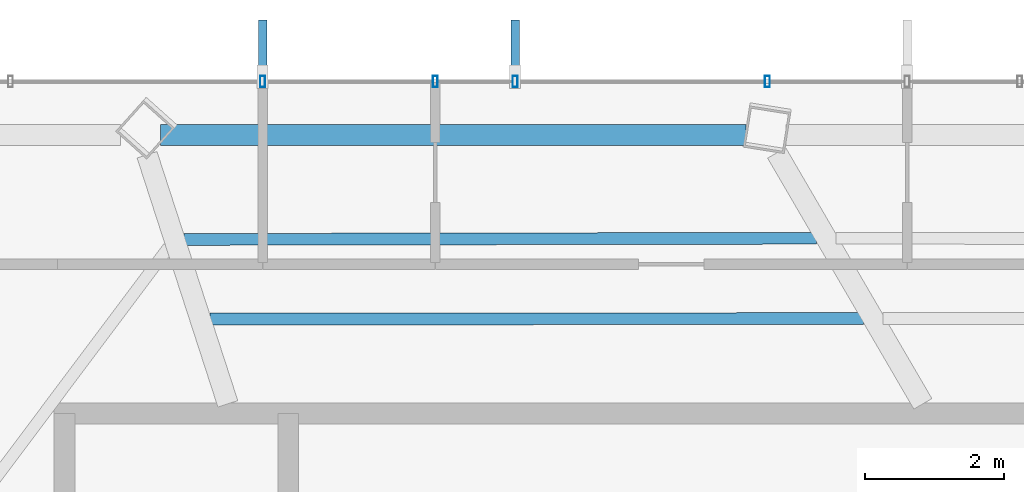
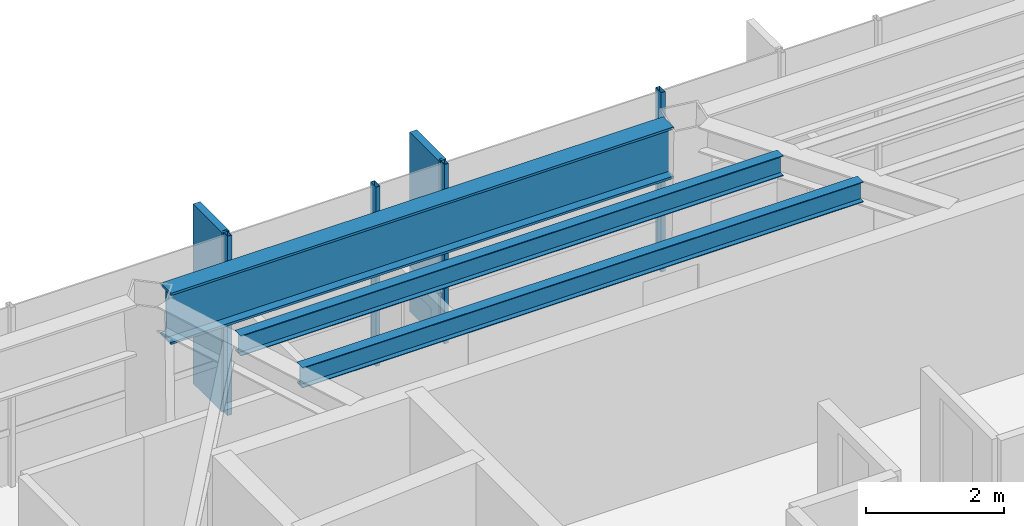
# One storey, part 14 of 27: 6 members, 3 beams, 1 element without a shape of its own.
"""IFC4 building model written with IfcOpenShell, lengths in metres."""

from ifc_helpers import new_model, si_unit, direction, frame, origin, origin_2d, place, context, subcontext, project, spatial, rectangle, hollow_rectangle, i_section, extrude, material, layer, layer_set, material_profile, profile_set, type_object, element, aggregate, save


model = new_model("IFC4")

# Units and contexts
model_context = context("Model", 3, precision=1e-05, world=origin(), true_north=direction((0.0, 1.0)))
body_context = subcontext(model_context, "Body", "Model", "MODEL_VIEW")
ifc_project = project(units=[si_unit("LENGTHUNIT", "METRE"), si_unit("AREAUNIT", "SQUARE_METRE"), si_unit("VOLUMEUNIT", "CUBIC_METRE"), si_unit("PLANEANGLEUNIT", "RADIAN"), si_unit("MASSUNIT", "GRAM", prefix="KILO")], contexts=[model_context])

# Site, building, storey
site_placement = place(None, origin())
site = spatial("IfcSite", under=ifc_project, at=site_placement, CompositionType="ELEMENT")
building_placement = place(site_placement, origin())
building = spatial("IfcBuilding", under=site, at=building_placement, Name="Zarrinselat Tower", CompositionType="ELEMENT")
storey_placement = place(building_placement, frame((0.0, 0.0, 235.9599609375)))
storey = spatial("IfcBuildingStorey", under=building, at=storey_placement, Name="L59", CompositionType="ELEMENT", Elevation=235.9599609375)

# Beams
ifc_material_1 = material(Name="Steel S460M", Category="steel")
ifc_material_profile_1 = material_profile(ifc_material_1, i_section(OverallWidth=0.302001953125, OverallDepth=0.909912109375, WebThickness=0.02099609375, FlangeThickness=0.0400390625, at=origin_2d()), Name="HEM 900")
ifc_profile_set_1 = profile_set([ifc_material_profile_1], Name="Steel S460M")
beam_type_1 = type_object("IfcBeamType", Name="BM-HEM900", PredefinedType="BEAM", material=ifc_profile_set_1)
beam_1_placement = place(storey_placement, frame((30.0322265625, 47.4111328125, 2.72509765625), z_axis=(1.0, 0.0, 0.0), x_axis=(0.0, 1.0, 0.0)))
element("IfcBeam", 1, at=beam_1_placement, inside=storey, type_object=beam_type_1, Name="L59 Perimeter Spandrel Girder SP03", PredefinedType="BEAM", context=body_context, shape_type="SweptSolid", body=[
    extrude(i_section(OverallWidth=0.302001953125, OverallDepth=0.909912109375, WebThickness=0.02099609375, FlangeThickness=0.0400390625, at=origin_2d()), origin(), (0.0, 0.0, 1.0), 8.424560546875),
])
ifc_material_2 = material(Name="Steel S355J2", Category="steel")
ifc_material_profile_2 = material_profile(ifc_material_2, i_section(OverallWidth=0.169921875, OverallDepth=0.360107421875, WebThickness=0.008056640625, FlangeThickness=0.0126953125, at=origin_2d()), Name="IPE 360")
ifc_profile_set_2 = profile_set([ifc_material_profile_2], Name="Steel S355J2")
beam_type_2 = type_object("IfcBeamType", Name="BM-IPE360", PredefinedType="JOIST", material=ifc_profile_set_2)
beam_2_placement = place(storey_placement, frame((30.372802734375, 45.905517578125, 3.0), z_axis=(0.999998236213, 0.001878182896, 0.0), x_axis=(-0.001878182896, 0.999998236213, 0.0)))
element("IfcBeam", 2, at=beam_2_placement, inside=storey, type_object=beam_type_2, Name="L59 Composite Floor Joist 8-1", PredefinedType="JOIST", context=body_context, shape_type="SweptSolid", body=[
    extrude(i_section(OverallWidth=0.169921875, OverallDepth=0.360107421875, WebThickness=0.008056640625, FlangeThickness=0.0126953125, at=origin_2d()), origin(), (0.0, 0.0, 1.0), 9.09912109375),
])
beam_3_placement = place(storey_placement, frame((30.74462890625, 44.758544921875, 3.0), z_axis=(0.999999562918, 0.000934967387, 0.0), x_axis=(-0.000934967387, 0.999999562918, 0.0)))
element("IfcBeam", 3, at=beam_3_placement, inside=storey, type_object=beam_type_2, Name="L59 Composite Floor Joist 8-2", PredefinedType="JOIST", context=body_context, shape_type="SweptSolid", body=[
    extrude(i_section(OverallWidth=0.169921875, OverallDepth=0.360107421875, WebThickness=0.008056640625, FlangeThickness=0.0126953125, at=origin_2d()), origin(), (0.0, 0.0, 1.0), 9.400390625),
])

# Curtain wall, members
ifc_material_3 = material(Name="Extruded Aluminium Alloy EN AW-6063 T6", Category="aluminium")
ifc_layer = layer(ifc_material_3, 0.169921875)
ifc_layer_set = layer_set([ifc_layer], Name="Extruded Aluminium Alloy EN AW-6063 T6")
curtain_wall_type = type_object("IfcCurtainWallType", Name="CWS-RES", PredefinedType="NOTDEFINED", material=ifc_layer_set)
curtain_wall_placement = place(storey_placement, origin())
curtain_wall = element("IfcCurtainWall", 4, at=curtain_wall_placement, inside=storey, type_object=curtain_wall_type, Name="L59 Unitised Curtain Wall CW-L59-E01", PredefinedType="NOTDEFINED")
ifc_material_4 = material(Name="Extruded Aluminium Alloy EN AW-6063 T6", Category="aluminium")
ifc_material_profile_3 = material_profile(ifc_material_4, hollow_rectangle(XDim=0.070068359375, YDim=0.159912109375, WallThickness=0.00390625, at=origin_2d()), Name="RHS 160x70x4")
ifc_profile_set_3 = profile_set([ifc_material_profile_3], Name="Extruded Aluminium Alloy EN AW-6063 T6")
member_type_1 = type_object("IfcMemberType", Name="MEM-CW-MUL2", PredefinedType="MULLION", material=ifc_profile_set_3)
member_1_placement = place(storey_placement, frame((38.763427734375, 48.177734375, 0.0), z_axis=(0.0, 0.0, 1.0), x_axis=(-1.0, 0.0, 0.0)))
member_1 = element("IfcMember", 5, at=member_1_placement, type_object=member_type_1, Name="CW-L59-E01 Mullion 6", PredefinedType="MULLION", context=body_context, shape_type="SweptSolid", body=[
    extrude(hollow_rectangle(XDim=0.070068359375, YDim=0.159912109375, WallThickness=0.00390625, at=origin_2d()), origin(), (0.0, 0.0, 1.0), 3.179931640625),
])
member_2_placement = place(storey_placement, frame((35.133056640625, 48.177734375, 0.0), z_axis=(0.0, 0.0, 1.0), x_axis=(-1.0, 0.0, 0.0)))
member_2 = element("IfcMember", 6, at=member_2_placement, type_object=member_type_1, Name="CW-L59-E01 Mullion 7", PredefinedType="MULLION", context=body_context, shape_type="SweptSolid", body=[
    extrude(hollow_rectangle(XDim=0.070068359375, YDim=0.159912109375, WallThickness=0.00390625, at=origin_2d()), origin(), (0.0, 0.0, 1.0), 3.179931640625),
])
member_3_placement = place(storey_placement, frame((33.98388671875, 48.177734375, 0.0), z_axis=(0.0, 0.0, 1.0), x_axis=(-1.0, 0.0, 0.0)))
member_3 = element("IfcMember", 7, at=member_3_placement, type_object=member_type_1, Name="CW-L59-E01 Mullion 8", PredefinedType="MULLION", context=body_context, shape_type="SweptSolid", body=[
    extrude(hollow_rectangle(XDim=0.070068359375, YDim=0.159912109375, WallThickness=0.00390625, at=origin_2d()), origin(), (0.0, 0.0, 1.0), 3.179931640625),
])
member_4_placement = place(storey_placement, frame((31.5, 48.177734375, 0.0), z_axis=(0.0, 0.0, 1.0), x_axis=(-1.0, 0.0, 0.0)))
member_4 = element("IfcMember", 8, at=member_4_placement, type_object=member_type_1, Name="CW-L59-E01 Mullion 9", PredefinedType="MULLION", context=body_context, shape_type="SweptSolid", body=[
    extrude(hollow_rectangle(XDim=0.070068359375, YDim=0.159912109375, WallThickness=0.00390625, at=origin_2d()), origin(), (0.0, 0.0, 1.0), 3.179931640625),
])
ifc_material_5 = material(Name="Honed Cream Travertine Stone", Category="masonry")
ifc_material_profile_4 = material_profile(ifc_material_5, rectangle(XDim=0.1201171875, YDim=0.85009765625, at=origin_2d()), Name="FIN 850x120")
ifc_profile_set_4 = profile_set([ifc_material_profile_4], Name="Honed Cream Travertine Stone")
member_type_2 = type_object("IfcMemberType", Name="MEM-STONE-FIN", PredefinedType="USERDEFINED", material=ifc_profile_set_4)
member_5_placement = place(storey_placement, frame((35.133056640625, 48.6376953125, 0.0), z_axis=(0.0, 0.0, 1.0), x_axis=(1.0, 0.0, 0.0)))
member_5 = element("IfcMember", 9, at=member_5_placement, type_object=member_type_2, Name="L59 Stone Shading Fin CW-L59-E01-07", ObjectType="FIN", PredefinedType="USERDEFINED", context=body_context, shape_type="SweptSolid", body=[
    extrude(rectangle(XDim=0.1201171875, YDim=0.85009765625, at=origin_2d()), origin(), (0.0, 0.0, 1.0), 3.179931640625),
])
member_6_placement = place(storey_placement, frame((31.5, 48.6376953125, 0.0), z_axis=(0.0, 0.0, 1.0), x_axis=(1.0, 0.0, 0.0)))
member_6 = element("IfcMember", 10, at=member_6_placement, type_object=member_type_2, Name="L59 Stone Shading Fin CW-L59-E01-09", ObjectType="FIN", PredefinedType="USERDEFINED", context=body_context, shape_type="SweptSolid", body=[
    extrude(rectangle(XDim=0.1201171875, YDim=0.85009765625, at=origin_2d()), origin(), (0.0, 0.0, 1.0), 3.179931640625),
])
aggregate(curtain_wall, [member_1, member_2, member_5, member_3, member_4, member_6])

save(model, "model.ifc")
